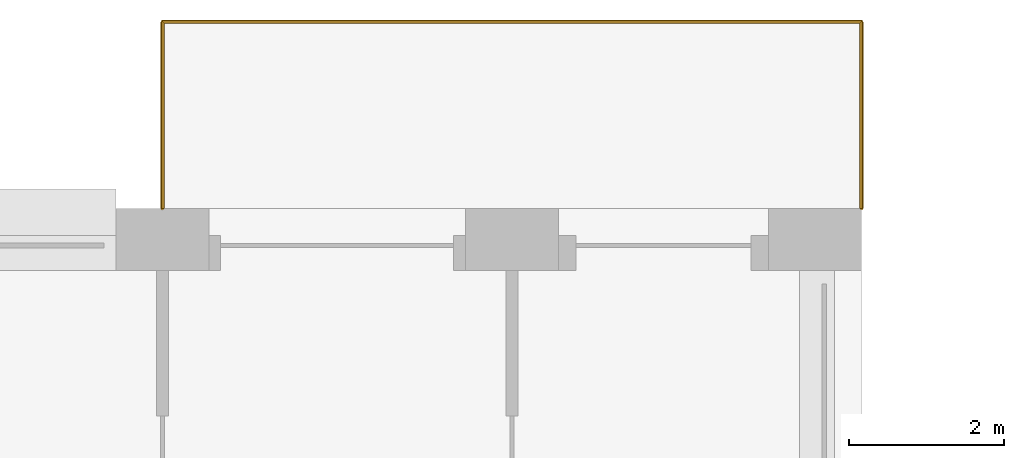
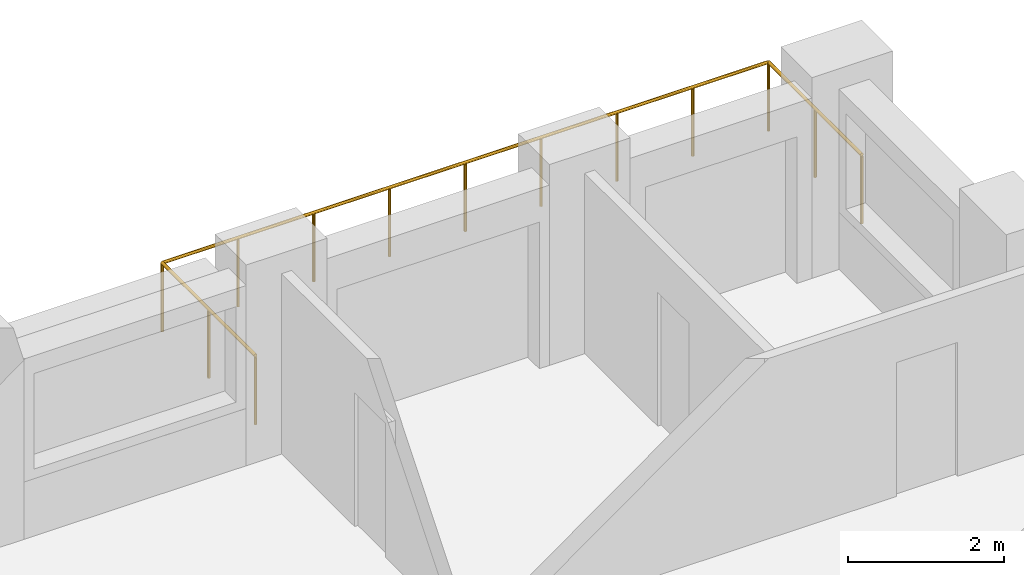
# One storey, part 20 of 20: 1 railing.
"""IFC4 building model written with IfcOpenShell, lengths in metres."""

import ifcopenshell
import ifcopenshell.guid

model = None  # the IFC model being written
_history = None  # IfcOwnerHistory: only IFC2X3 demands one
_inside = {}  # id of a spatial element -> (the spatial element, [elements in it])
_under = {}  # id of a project, library or spatial element -> (it, [spatial elements below it])
_declared = {}  # id of a project -> (the project, [libraries it declares])
_typed = {}  # id of a type object -> (the type object, [elements of that type])
_made_of = {}  # id of a material, layer set ... -> (it, [elements and type objects made of it])


def new_model(schema):
    """Start an empty IFC model of exactly this schema.

    Asked for "IFC4X3", IfcOpenShell would pick the latest addendum, in which some entities
    have other attributes; the version numbers below select the first issue.
    IFC2X3 requires an IfcOwnerHistory on every rooted entity: one is made here for all.
    """
    global model, _history
    if schema == "IFC4X3":
        model = ifcopenshell.file(schema_version=(4, 3, 0, 0))
    else:
        model = ifcopenshell.file(schema=schema)
    _inside.clear()
    _under.clear()
    _declared.clear()
    _typed.clear()
    _made_of.clear()
    _history = None
    if model.schema == "IFC2X3":
        org = make("IfcOrganization", Name="unknown")
        user = make(
            "IfcPersonAndOrganization",
            ThePerson=make("IfcPerson", FamilyName="unknown"),
            TheOrganization=org,
        )
        app = make(
            "IfcApplication",
            ApplicationDeveloper=org,
            Version="unknown",
            ApplicationFullName="unknown",
            ApplicationIdentifier="unknown",
        )
        _history = make(
            "IfcOwnerHistory",
            OwningUser=user,
            OwningApplication=app,
            ChangeAction="ADDED",
            CreationDate=0,
        )
    return model


def make(cls, **values):
    """One entity of the class cls with the attributes given. An attribute that is None is left unset."""
    return model.create_entity(
        cls, **{name: value for name, value in values.items() if value is not None}
    )


def rooted(cls, **values):
    """An entity with a GlobalId (a new one), such as an element, a storey or a relation."""
    return make(cls, GlobalId=ifcopenshell.guid.new(), OwnerHistory=_history, **values)


def si_unit(unit_type, name, prefix=None):
    """IfcSIUnit, for example si_unit("LENGTHUNIT", "METRE", prefix="MILLI")."""
    return make("IfcSIUnit", UnitType=unit_type, Prefix=prefix, Name=name)


def assignment(units):
    """IfcUnitAssignment: the units of a project."""
    return None if units is None else make("IfcUnitAssignment", Units=units)


def point(xyz):
    """IfcCartesianPoint."""
    return None if xyz is None else make("IfcCartesianPoint", Coordinates=xyz)


def direction(xyz):
    """IfcDirection."""
    return None if xyz is None else make("IfcDirection", DirectionRatios=xyz)


def frame(location, z_axis=None, x_axis=None):
    """IfcAxis2Placement3D, a coordinate frame: its origin and axes. An axis left out is left unset."""
    return make(
        "IfcAxis2Placement3D",
        Location=point(location),
        Axis=direction(z_axis),
        RefDirection=direction(x_axis),
    )


def frame_2d(location, x_axis=None):
    """IfcAxis2Placement2D, a coordinate frame in the plane: its origin and x axis."""
    return make(
        "IfcAxis2Placement2D", Location=point(location), RefDirection=direction(x_axis)
    )


def origin():
    """The frame at (0, 0, 0) with its axes left unset."""
    return frame((0.0, 0.0, 0.0))


def origin_2d():
    """The frame at (0, 0) in the plane with its x axis left unset."""
    return frame_2d((0.0, 0.0))


def place(relative_to, where):
    """IfcLocalPlacement: puts the frame where relative to a parent placement (None: the world)."""
    return make(
        "IfcLocalPlacement", PlacementRelTo=relative_to, RelativePlacement=where
    )


def context(
    kind, dimensions, precision=None, world=None, true_north=None, identifier=None
):
    """IfcGeometricRepresentationContext, for example the 3D "Model" context."""
    return make(
        "IfcGeometricRepresentationContext",
        ContextIdentifier=identifier,
        ContextType=kind,
        CoordinateSpaceDimension=dimensions,
        Precision=precision,
        WorldCoordinateSystem=world,
        TrueNorth=true_north,
    )


def subcontext(parent, identifier, kind, view, scale=None):
    """IfcGeometricRepresentationSubContext, for example "Body" below "Model"."""
    return make(
        "IfcGeometricRepresentationSubContext",
        ContextIdentifier=identifier,
        ContextType=kind,
        ParentContext=parent,
        TargetScale=scale,
        TargetView=view,
    )


def project(units=None, contexts=None):
    """IfcProject with its units and contexts."""
    return rooted(
        "IfcProject",
        Name="project",
        RepresentationContexts=contexts,
        UnitsInContext=assignment(units),
    )


def spatial(cls, under=None, at=None, **own):
    """A site, building, storey or space (cls), placed at a placement, below another one or the project."""
    s = rooted(cls, ObjectPlacement=at, **own)
    if under is not None:
        _under.setdefault(under.id(), (under, []))[1].append(s)
    return s


def profile(cls, at=None, kind="AREA", **sizes):
    """A parametric profile (cls). Its sizes go by their IFC names, for example OverallWidth=200.0."""
    return make(cls, ProfileType=kind, Position=at, **sizes)


def circle(**sizes):
    """IfcCircleProfileDef."""
    return profile("IfcCircleProfileDef", **sizes)


def extrude(swept, where, along, depth):
    """IfcExtrudedAreaSolid: the profile swept, set in the frame where, extruded along a direction by depth."""
    return make(
        "IfcExtrudedAreaSolid",
        SweptArea=swept,
        Position=where,
        ExtrudedDirection=direction(along),
        Depth=depth,
    )


def shape(context_of_items, identifier, shape_type, items):
    """IfcShapeRepresentation: the items that make up one representation, for example the "Body"."""
    return make(
        "IfcShapeRepresentation",
        ContextOfItems=context_of_items,
        RepresentationIdentifier=identifier,
        RepresentationType=shape_type,
        Items=items,
    )


def material(Name=None, Category=None):
    """IfcMaterial."""
    return make("IfcMaterial", Name=Name, Category=Category)


def made_of(thing, what):
    """Note that an element or type object is made of a material, layer set ...; save() writes the relation."""
    if what is not None:
        _made_of.setdefault(what.id(), (what, []))[1].append(thing)
    return thing


def type_object(cls, material=None, **own):
    """A type object (cls), such as IfcWallType, which elements share."""
    return made_of(rooted(cls, **own), material)


def element(
    cls,
    number,
    at=None,
    inside=None,
    cuts=None,
    type_object=None,
    material=None,
    context=None,
    identifier="Body",
    shape_type=None,
    held_by="IfcProductDefinitionShape",
    body=None,
    shapes=None,
    **own,
):
    """One element of the class cls, such as IfcWall. Its Tag is "e" and its number.

    at: its placement. inside: the storey or other place that contains it. cuts: it is an
    opening in that element (IfcRelVoidsElement). A single representation is given by context,
    identifier, shape_type and body (its items); several are given by shapes. held_by: the class
    of the entity that holds the representations. save() writes the other relations.
    """
    e = rooted(cls, Tag="e%d" % number, ObjectPlacement=at, **own)
    if body is not None:
        shapes = [shape(context, identifier, shape_type, body)]
    if shapes is not None:
        e.Representation = make(held_by, Representations=shapes)
    if inside is not None:
        _inside.setdefault(inside.id(), (inside, []))[1].append(e)
    if cuts is not None:
        rooted(
            "IfcRelVoidsElement", RelatingBuildingElement=cuts, RelatedOpeningElement=e
        )
    if type_object is not None:
        _typed.setdefault(type_object.id(), (type_object, []))[1].append(e)
    return made_of(e, material)


def aggregate(whole, parts):
    """IfcRelAggregates: a whole, such as a stair, and the parts it consists of."""
    return rooted("IfcRelAggregates", RelatingObject=whole, RelatedObjects=parts)


def save(model, path):
    """Write the relations noted so far, then the file.

    IfcRelAggregates (storeys below a building ...), IfcRelContainedInSpatialStructure (elements
    in a storey), IfcRelDefinesByType, IfcRelAssociatesMaterial and IfcRelDeclares: one each for
    every whole, place, type object, material and project.
    """
    for whole, parts in _under.values():
        aggregate(whole, parts)
    for where, things in _inside.values():
        rooted(
            "IfcRelContainedInSpatialStructure",
            RelatedElements=things,
            RelatingStructure=where,
        )
    for kind, things in _typed.values():
        rooted("IfcRelDefinesByType", RelatedObjects=things, RelatingType=kind)
    for what, things in _made_of.values():
        rooted("IfcRelAssociatesMaterial", RelatedObjects=things, RelatingMaterial=what)
    for by, libraries in _declared.values():
        rooted("IfcRelDeclares", RelatingContext=by, RelatedDefinitions=libraries)
    model.write(path)


model = new_model("IFC4")

# Units and contexts
model_context = context("Model", 3, precision=1e-05, world=origin(), true_north=direction((0.0, 1.0)))
body_context = subcontext(model_context, "Body", "Model", "MODEL_VIEW")
ifc_project = project(units=[si_unit("LENGTHUNIT", "METRE"), si_unit("AREAUNIT", "SQUARE_METRE"), si_unit("VOLUMEUNIT", "CUBIC_METRE"), si_unit("PLANEANGLEUNIT", "RADIAN"), si_unit("MASSUNIT", "GRAM", prefix="KILO")], contexts=[model_context])

# Site, building, storey
site_placement = place(None, origin())
site = spatial("IfcSite", under=ifc_project, at=site_placement, CompositionType="ELEMENT")
building_placement = place(site_placement, origin())
building = spatial("IfcBuilding", under=site, at=building_placement, Name="Brigalow Station Residences", CompositionType="ELEMENT")
storey_placement = place(building_placement, frame((0.0, 0.0, 60.449951171875)))
storey = spatial("IfcBuildingStorey", under=building, at=storey_placement, Name="L17", CompositionType="ELEMENT", Elevation=60.449951171875)

# Railing
ifc_material = material(Name="Stainless steel balustrade with laminated glass infill", Category="steel")
railing_type = type_object("IfcRailingType", Name="BALCONY GUARD 1100", PredefinedType="GUARDRAIL", material=ifc_material)
railing_placement = place(storey_placement, frame((72.0, 48.5, -0.0400390625)))
element("IfcRailing", 1, at=railing_placement, inside=storey, type_object=railing_type, Name="L17/balcony-guard/2", PredefinedType="GUARDRAIL", context=body_context, shape_type="SweptSolid", body=[
    extrude(circle(Radius=0.02392578125, at=origin_2d()), frame((0.0, 0.0, 1.076171875), z_axis=(0.0, 1.0, 0.0), x_axis=(-1.0, 0.0, 0.0)), (0.0, 0.0, 1.0), 2.39990234375),
    extrude(circle(Radius=0.02392578125, at=origin_2d()), frame((0.0, 2.39990234375, 1.076171875), z_axis=(-1.0, 0.0, 0.0), x_axis=(0.0, -1.0, 0.0)), (0.0, 0.0, 1.0), 9.0),
    extrude(circle(Radius=0.02392578125, at=origin_2d()), frame((-9.0, 2.39990234375, 1.076171875), z_axis=(0.0, -1.0, 0.0), x_axis=(1.0, 0.0, 0.0)), (0.0, 0.0, 1.0), 2.39990234375),
    extrude(circle(Radius=0.02099609375, at=origin_2d()), origin(), (0.0, 0.0, 1.0), 1.052001953125),
    extrude(circle(Radius=0.02099609375, at=origin_2d()), frame((0.0, 1.199951171875, 0.0)), (0.0, 0.0, 1.0), 1.052001953125),
    extrude(circle(Radius=0.02099609375, at=origin_2d()), frame((0.0, 2.39990234375, 0.0)), (0.0, 0.0, 1.0), 1.052001953125),
    extrude(circle(Radius=0.02099609375, at=origin_2d()), frame((-1.125, 2.39990234375, 0.0)), (0.0, 0.0, 1.0), 1.052001953125),
    extrude(circle(Radius=0.02099609375, at=origin_2d()), frame((-2.25, 2.39990234375, 0.0)), (0.0, 0.0, 1.0), 1.052001953125),
    extrude(circle(Radius=0.02099609375, at=origin_2d()), frame((-3.375, 2.39990234375, 0.0)), (0.0, 0.0, 1.0), 1.052001953125),
    extrude(circle(Radius=0.02099609375, at=origin_2d()), frame((-4.5, 2.39990234375, 0.0)), (0.0, 0.0, 1.0), 1.052001953125),
    extrude(circle(Radius=0.02099609375, at=origin_2d()), frame((-5.625, 2.39990234375, 0.0)), (0.0, 0.0, 1.0), 1.052001953125),
    extrude(circle(Radius=0.02099609375, at=origin_2d()), frame((-6.75, 2.39990234375, 0.0)), (0.0, 0.0, 1.0), 1.052001953125),
    extrude(circle(Radius=0.02099609375, at=origin_2d()), frame((-7.875, 2.39990234375, 0.0)), (0.0, 0.0, 1.0), 1.052001953125),
    extrude(circle(Radius=0.02099609375, at=origin_2d()), frame((-9.0, 2.39990234375, 0.0)), (0.0, 0.0, 1.0), 1.052001953125),
    extrude(circle(Radius=0.02099609375, at=origin_2d()), frame((-9.0, 1.199951171875, 0.0)), (0.0, 0.0, 1.0), 1.052001953125),
    extrude(circle(Radius=0.02099609375, at=origin_2d()), frame((-9.0, 0.0, 0.0)), (0.0, 0.0, 1.0), 1.052001953125),
])

save(model, "model.ifc")
